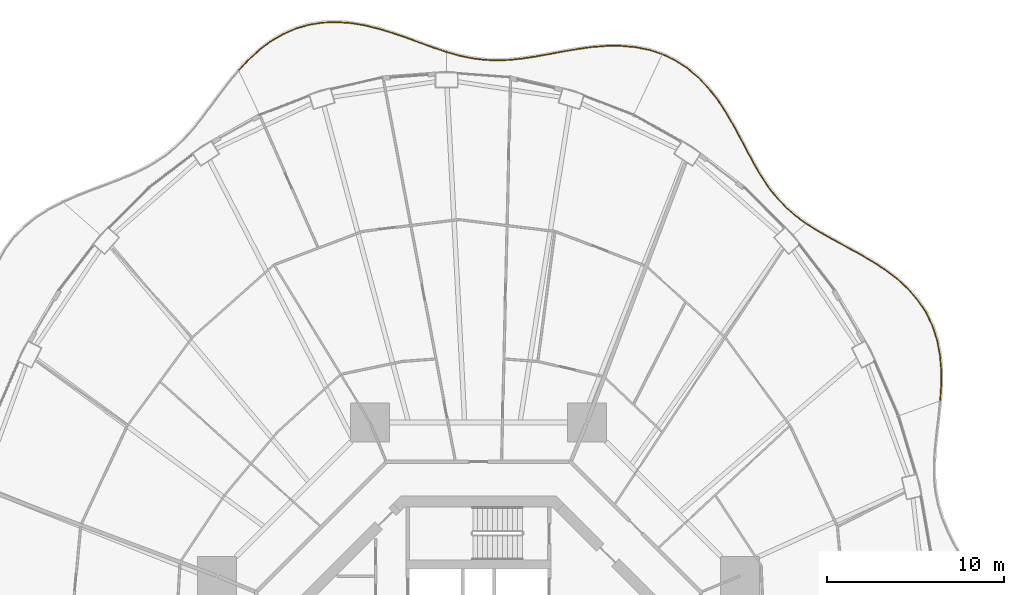
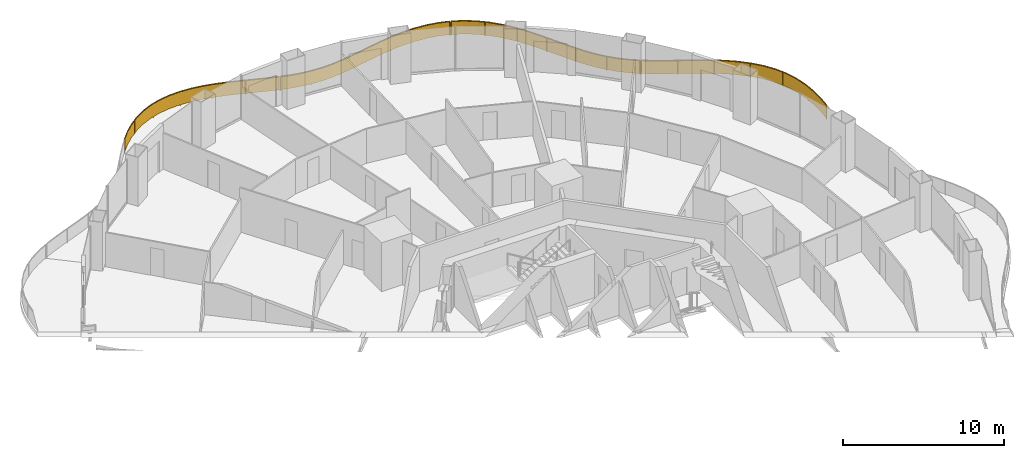
# One storey, part 23 of 23: 4 railings.
"""IFC4 building model written with IfcOpenShell, lengths in metres."""

from ifc_helpers import new_model, si_unit, direction, frame, origin, origin_2d, place, context, subcontext, project, spatial, polyline, rectangle, outline, extrude, material, type_object, element, save


model = new_model("IFC4")

# Units and contexts
model_context = context("Model", 3, precision=1e-05, world=origin(), true_north=direction((0.0, 1.0)))
body_context = subcontext(model_context, "Body", "Model", "MODEL_VIEW")
ifc_project = project(units=[si_unit("LENGTHUNIT", "METRE"), si_unit("AREAUNIT", "SQUARE_METRE"), si_unit("VOLUMEUNIT", "CUBIC_METRE"), si_unit("PLANEANGLEUNIT", "RADIAN"), si_unit("MASSUNIT", "GRAM", prefix="KILO")], contexts=[model_context])

# Site, building, storey
site_placement = place(None, origin())
site = spatial("IfcSite", under=ifc_project, at=site_placement, CompositionType="ELEMENT")
building_placement = place(site_placement, origin())
building = spatial("IfcBuilding", under=site, at=building_placement, Name="Nagisa Residences", CompositionType="ELEMENT")
storey_placement = place(building_placement, frame((0.0, 0.0, 110.300048828125)))
storey = spatial("IfcBuildingStorey", under=building, at=storey_placement, Name="L27", CompositionType="ELEMENT", Elevation=110.300048828125)

# Railings
ifc_material = material(Name="Stainless steel 316", Category="steel")
railing_type = type_object("IfcRailingType", Name="BALCONY GUARD 1100", PredefinedType="BALUSTRADE", material=ifc_material)
railing_1_placement = place(storey_placement, frame((26.079345703125, 16.049560546875, 0.0)))
element("IfcRailing", 1, at=railing_1_placement, inside=storey, type_object=railing_type, Name="guard:L27:bal01-0", PredefinedType="BALUSTRADE", context=body_context, shape_type="SweptSolid", body=[
    extrude(outline(polyline([(0.03076171875, 0.83740234375), (-0.02490234375, 0.001708984375), (0.02490234375, -0.001708984375), (0.08056640625, 0.8359375), (0.081298828125, 1.71435546875), (0.007568359375, 2.577880859375), (-0.1552734375, 3.41455078125), (-0.416015625, 4.214111328125), (-0.7724609375, 4.9541015625), (-1.2353515625, 5.65380859375), (-1.791259765625, 6.29638671875), (-2.427490234375, 6.88134765625), (-3.12744140625, 7.411865234375), (-3.864013671875, 7.88232421875), (-4.63330078125, 8.32763671875), (-5.40625, 8.748291015625), (-6.1640625, 9.158447265625), (-6.89013671875, 9.5732421875), (-7.53662109375, 9.98388671875), (-7.5634765625, 9.94140625), (-6.916015625, 9.5302734375), (-6.1884765625, 9.114501953125), (-5.43017578125, 8.704345703125), (-4.65771484375, 8.2841796875), (-3.889892578125, 7.83935546875), (-3.15625, 7.370849609375), (-2.459716796875, 6.8427734375), (-1.827392578125, 6.26171875), (-1.275390625, 5.62353515625), (-0.81591796875, 4.92919921875), (-0.46240234375, 4.195556640625), (-0.20361328125, 3.40185546875), (-0.042236328125, 2.571044921875), (0.031005859375, 1.71240234375), (0.03076171875, 0.83740234375)])), frame((0.0, 0.0, 1.050048828125)), (0.0, 0.0, 1.0), 0.050048828125),
    extrude(outline(polyline([(0.048583984375, 0.8369140625), (-0.007080078125, 0.00048828125), (0.007080078125, -0.00048828125), (0.062744140625, 0.83642578125), (0.063232421875, 1.713623046875), (-0.010498046875, 2.575439453125), (-0.172607421875, 3.409912109375), (-0.4326171875, 4.20751953125), (-0.7880859375, 4.945068359375), (-1.249755859375, 5.642822265625), (-1.80419921875, 6.283935546875), (-2.439208984375, 6.867431640625), (-3.137939453125, 7.397216796875), (-3.873291015625, 7.86669921875), (-4.64208984375, 8.31201171875), (-5.414794921875, 8.732421875), (-6.1728515625, 9.142578125), (-6.8994140625, 9.557861328125), (-7.54638671875, 9.968505859375), (-7.5537109375, 9.956787109375), (-6.90673828125, 9.545654296875), (-6.1796875, 9.13037109375), (-5.421630859375, 8.72021484375), (-4.64892578125, 8.2998046875), (-3.880615234375, 7.85498046875), (-3.145751953125, 7.385498046875), (-2.447998046875, 6.856689453125), (-1.814453125, 6.274169921875), (-1.260986328125, 5.634521484375), (-0.80029296875, 4.938232421875), (-0.44580078125, 4.2021484375), (-0.186279296875, 3.406494140625), (-0.024169921875, 2.573486328125), (0.049072265625, 1.713134765625), (0.048583984375, 0.8369140625)])), frame((0.0, 0.0, 0.06005859375)), (0.0, 0.0, 1.0), 0.989990234375),
    extrude(rectangle(XDim=0.0400390625, YDim=0.0400390625, at=origin_2d()), origin(), (0.0, 0.0, 1.0), 1.050048828125),
    extrude(rectangle(XDim=0.0400390625, YDim=0.0400390625, at=origin_2d()), frame((0.009033203125, 2.264404296875, 0.0)), (0.0, 0.0, 1.0), 1.050048828125),
    extrude(rectangle(XDim=0.0400390625, YDim=0.0400390625, at=origin_2d()), frame((-0.556396484375, 4.447998046875, 0.0)), (0.0, 0.0, 1.0), 1.050048828125),
    extrude(rectangle(XDim=0.0400390625, YDim=0.0400390625, at=origin_2d()), frame((-1.83740234375, 6.3046875, 0.0)), (0.0, 0.0, 1.0), 1.050048828125),
    extrude(rectangle(XDim=0.0400390625, YDim=0.0400390625, at=origin_2d()), frame((-3.62109375, 7.697509765625, 0.0)), (0.0, 0.0, 1.0), 1.050048828125),
    extrude(rectangle(XDim=0.0400390625, YDim=0.0400390625, at=origin_2d()), frame((-5.591552734375, 8.820068359375, 0.0)), (0.0, 0.0, 1.0), 1.050048828125),
    extrude(rectangle(XDim=0.0400390625, YDim=0.0400390625, at=origin_2d()), frame((-7.550048828125, 9.962646484375, 0.0)), (0.0, 0.0, 1.0), 1.050048828125),
])
railing_2_placement = place(storey_placement, frame((18.468994140625, 26.051025390625, 0.0)))
element("IfcRailing", 2, at=railing_2_placement, inside=storey, type_object=railing_type, Name="guard:L27:bal02-0", PredefinedType="BALUSTRADE", context=body_context, shape_type="SweptSolid", body=[
    extrude(outline(polyline([(-0.58349609375, 0.399658203125), (-0.014892578125, -0.02001953125), (0.014892578125, 0.02001953125), (-0.55224609375, 0.438720703125), (-1.1025390625, 0.92236328125), (-1.603271484375, 1.452392578125), (-2.06005859375, 2.031982421875), (-2.48095703125, 2.6611328125), (-2.864990234375, 3.32470703125), (-3.249267578125, 4.035400390625), (-3.6357421875, 4.77099609375), (-4.03857421875, 5.516357421875), (-4.47021484375, 6.2548828125), (-4.928955078125, 6.95947265625), (-5.44970703125, 7.62890625), (-6.025390625, 8.23828125), (-6.657958984375, 8.771728515625), (-7.345947265625, 9.21875), (-8.041015625, 9.548828125), (-8.0625, 9.50341796875), (-7.370361328125, 9.1748046875), (-6.687744140625, 8.731689453125), (-6.06005859375, 8.20166015625), (-5.48779296875, 7.59619140625), (-4.969970703125, 6.93017578125), (-4.5126953125, 6.228515625), (-4.08203125, 5.491943359375), (-3.6796875, 4.74755859375), (-3.293212890625, 4.011962890625), (-2.908447265625, 3.30029296875), (-2.5234375, 2.634765625), (-2.1005859375, 2.002685546875), (-1.641357421875, 1.419677734375), (-1.13720703125, 0.88623046875), (-0.58349609375, 0.399658203125)])), frame((0.0, 0.0, 1.050048828125)), (0.0, 0.0, 1.0), 0.050048828125),
    extrude(outline(polyline([(-0.572265625, 0.413818359375), (-0.004150390625, -0.005615234375), (0.004150390625, 0.005615234375), (-0.5634765625, 0.424560546875), (-1.114990234375, 0.909423828125), (-1.616943359375, 1.440673828125), (-2.07470703125, 2.021484375), (-2.496337890625, 2.651611328125), (-2.880615234375, 3.31591796875), (-3.26513671875, 4.02685546875), (-3.651611328125, 4.762451171875), (-4.05419921875, 5.507568359375), (-4.485595703125, 6.245361328125), (-4.94384765625, 6.948974609375), (-5.46337890625, 7.6171875), (-6.037841796875, 8.22509765625), (-6.668701171875, 8.75732421875), (-7.354736328125, 9.202880859375), (-8.048828125, 9.532470703125), (-8.0546875, 9.519775390625), (-7.361572265625, 9.190673828125), (-6.677001953125, 8.74609375), (-6.047607421875, 8.21484375), (-5.47412109375, 7.60791015625), (-4.955078125, 6.940673828125), (-4.497314453125, 6.238037109375), (-4.06640625, 5.500732421875), (-3.663818359375, 4.756103515625), (-3.27734375, 4.0205078125), (-2.892822265625, 3.30908203125), (-2.508056640625, 2.644287109375), (-2.0859375, 2.01318359375), (-1.627685546875, 1.431396484375), (-1.124755859375, 0.899169921875), (-0.572265625, 0.413818359375)])), frame((0.0, 0.0, 0.06005859375)), (0.0, 0.0, 1.0), 0.989990234375),
    extrude(rectangle(XDim=0.0400390625, YDim=0.0400390625, at=origin_2d()), origin(), (0.0, 0.0, 1.0), 1.050048828125),
    extrude(rectangle(XDim=0.0400390625, YDim=0.0400390625, at=origin_2d()), frame((-1.585205078125, 1.396728515625, 0.0)), (0.0, 0.0, 1.0), 1.050048828125),
    extrude(rectangle(XDim=0.0400390625, YDim=0.0400390625, at=origin_2d()), frame((-2.785400390625, 3.137451171875, 0.0)), (0.0, 0.0, 1.0), 1.050048828125),
    extrude(rectangle(XDim=0.0400390625, YDim=0.0400390625, at=origin_2d()), frame((-3.7890625, 5.00244140625, 0.0)), (0.0, 0.0, 1.0), 1.050048828125),
    extrude(rectangle(XDim=0.0400390625, YDim=0.0400390625, at=origin_2d()), frame((-4.8701171875, 6.822998046875, 0.0)), (0.0, 0.0, 1.0), 1.050048828125),
    extrude(rectangle(XDim=0.0400390625, YDim=0.0400390625, at=origin_2d()), frame((-6.265380859375, 8.40771484375, 0.0)), (0.0, 0.0, 1.0), 1.050048828125),
    extrude(rectangle(XDim=0.0400390625, YDim=0.0400390625, at=origin_2d()), frame((-8.0517578125, 9.526123046875, 0.0)), (0.0, 0.0, 1.0), 1.050048828125),
])
railing_3_placement = place(storey_placement, frame((10.34521484375, 35.605712890625, 0.0)))
element("IfcRailing", 3, at=railing_3_placement, inside=storey, type_object=railing_type, Name="guard:L27:bal03-0", PredefinedType="BALUSTRADE", context=body_context, shape_type="SweptSolid", body=[
    extrude(outline(polyline([(-0.712646484375, 0.205322265625), (-0.0078125, -0.023681640625), (0.0078125, 0.023681640625), (-0.699951171875, 0.253662109375), (-1.486572265625, 0.409912109375), (-2.296630859375, 0.48193359375), (-3.1201171875, 0.47900390625), (-3.947509765625, 0.41552734375), (-4.753662109375, 0.301025390625), (-5.564697265625, 0.163818359375), (-6.358642578125, 0.0166015625), (-7.133056640625, -0.1220703125), (-7.886474609375, -0.236083984375), (-8.60302734375, -0.313720703125), (-9.321533203125, -0.3388671875), (-10.028564453125, -0.307373046875), (-10.731201171875, -0.21630859375), (-11.43505859375, -0.067626953125), (-12.103759765625, 0.121337890625), (-12.117431640625, 0.072998046875), (-11.447265625, -0.116455078125), (-10.739501953125, -0.265625), (-10.032958984375, -0.357177734375), (-9.321533203125, -0.38916015625), (-8.599609375, -0.363525390625), (-7.880126953125, -0.285888671875), (-7.124755859375, -0.17138671875), (-6.349853515625, -0.03271484375), (-5.555908203125, 0.114501953125), (-4.745849609375, 0.251708984375), (-3.942138671875, 0.36572265625), (-3.1181640625, 0.42919921875), (-2.298583984375, 0.431640625), (-1.493896484375, 0.360107421875), (-0.712646484375, 0.205322265625)])), frame((0.0, 0.0, 1.050048828125)), (0.0, 0.0, 1.0), 0.050048828125),
    extrude(outline(polyline([(-0.7080078125, 0.22265625), (-0.002197265625, -0.006591796875), (0.002197265625, 0.006591796875), (-0.70458984375, 0.236328125), (-1.4892578125, 0.391845703125), (-2.29736328125, 0.4638671875), (-3.119384765625, 0.461181640625), (-3.945556640625, 0.397705078125), (-4.750732421875, 0.283203125), (-5.5615234375, 0.14599609375), (-6.35546875, -0.001220703125), (-7.130126953125, -0.139892578125), (-7.88427734375, -0.254150390625), (-8.601806640625, -0.33154296875), (-9.321533203125, -0.35693359375), (-10.0302734375, -0.3251953125), (-10.734130859375, -0.234130859375), (-11.439453125, -0.085205078125), (-12.108642578125, 0.10400390625), (-12.112548828125, 0.09033203125), (-11.44287109375, -0.098876953125), (-10.736572265625, -0.247802734375), (-10.03125, -0.33935546875), (-9.321533203125, -0.37109375), (-8.600830078125, -0.345703125), (-7.88232421875, -0.267822265625), (-7.127685546875, -0.153564453125), (-6.35302734375, -0.014892578125), (-5.55908203125, 0.13232421875), (-4.748779296875, 0.26953125), (-3.944091796875, 0.383544921875), (-3.118896484375, 0.447021484375), (-2.2978515625, 0.44970703125), (-1.4912109375, 0.378173828125), (-0.7080078125, 0.22265625)])), frame((0.0, 0.0, 0.06005859375)), (0.0, 0.0, 1.0), 0.989990234375),
    extrude(rectangle(XDim=0.0400390625, YDim=0.0400390625, at=origin_2d()), origin(), (0.0, 0.0, 1.0), 1.050048828125),
    extrude(rectangle(XDim=0.0400390625, YDim=0.0400390625, at=origin_2d()), frame((-1.9921875, 0.4296875, 0.0)), (0.0, 0.0, 1.0), 1.050048828125),
    extrude(rectangle(XDim=0.0400390625, YDim=0.0400390625, at=origin_2d()), frame((-4.033447265625, 0.3779296875, 0.0)), (0.0, 0.0, 1.0), 1.050048828125),
    extrude(rectangle(XDim=0.0400390625, YDim=0.0400390625, at=origin_2d()), frame((-6.05224609375, 0.0478515625, 0.0)), (0.0, 0.0, 1.0), 1.050048828125),
    extrude(rectangle(XDim=0.0400390625, YDim=0.0400390625, at=origin_2d()), frame((-8.07080078125, -0.28125, 0.0)), (0.0, 0.0, 1.0), 1.050048828125),
    extrude(rectangle(XDim=0.0400390625, YDim=0.0400390625, at=origin_2d()), frame((-10.11181640625, -0.32177734375, 0.0)), (0.0, 0.0, 1.0), 1.050048828125),
    extrude(rectangle(XDim=0.0400390625, YDim=0.0400390625, at=origin_2d()), frame((-12.110595703125, 0.09716796875, 0.0)), (0.0, 0.0, 1.0), 1.050048828125),
])
railing_4_placement = place(storey_placement, frame((-1.834228515625, 35.726318359375, 0.0)))
element("IfcRailing", 4, at=railing_4_placement, inside=storey, type_object=railing_type, Name="guard:L27:bal04-0", PredefinedType="BALUSTRADE", context=body_context, shape_type="SweptSolid", body=[
    extrude(outline(polyline([(-0.690673828125, 0.205078125), (-0.008056640625, -0.023681640625), (0.008056640625, 0.023681640625), (-0.674072265625, 0.25244140625), (-1.41552734375, 0.520263671875), (-2.175537109375, 0.798583984375), (-2.954345703125, 1.068359375), (-3.74951171875, 1.311767578125), (-4.539794921875, 1.51171875), (-5.354248046875, 1.64697265625), (-6.167724609375, 1.704833984375), (-6.97216796875, 1.6748046875), (-7.759033203125, 1.549560546875), (-8.5029296875, 1.33203125), (-9.231201171875, 1.01318359375), (-9.9208984375, 0.605224609375), (-10.569091796875, 0.117919921875), (-11.17529296875, -0.435302734375), (-11.70703125, -1.006103515625), (-11.67041015625, -1.040283203125), (-11.14013671875, -0.470947265625), (-10.537353515625, 0.079345703125), (-9.89306640625, 0.563720703125), (-9.208251953125, 0.96875), (-8.48583984375, 1.28466796875), (-7.747802734375, 1.500732421875), (-6.96728515625, 1.625), (-6.168701171875, 1.654541015625), (-5.360107421875, 1.59716796875), (-4.550048828125, 1.462890625), (-3.76318359375, 1.263427734375), (-2.969970703125, 1.02099609375), (-2.192138671875, 0.751220703125), (-1.4326171875, 0.473388671875), (-0.690673828125, 0.205078125)])), frame((0.0, 0.0, 1.050048828125)), (0.0, 0.0, 1.0), 0.050048828125),
    extrude(outline(polyline([(-0.6845703125, 0.22216796875), (-0.002197265625, -0.006591796875), (0.002197265625, 0.006591796875), (-0.68017578125, 0.2353515625), (-1.421630859375, 0.50341796875), (-2.181396484375, 0.781494140625), (-2.9599609375, 1.05126953125), (-3.75439453125, 1.29443359375), (-4.54345703125, 1.494140625), (-5.3564453125, 1.629150390625), (-6.168212890625, 1.686767578125), (-6.970458984375, 1.656982421875), (-7.7548828125, 1.531982421875), (-8.496826171875, 1.31494140625), (-9.222900390625, 0.997314453125), (-9.910888671875, 0.59033203125), (-10.5576171875, 0.10400390625), (-11.16259765625, -0.4482421875), (-11.69384765625, -1.018310546875), (-11.68359375, -1.028076171875), (-11.15283203125, -0.4580078125), (-10.548828125, 0.09326171875), (-9.903076171875, 0.57861328125), (-9.216552734375, 0.984619140625), (-8.491943359375, 1.3017578125), (-7.751953125, 1.518310546875), (-6.968994140625, 1.642822265625), (-6.168212890625, 1.672607421875), (-5.35791015625, 1.614990234375), (-4.54638671875, 1.48046875), (-3.75830078125, 1.28076171875), (-2.96435546875, 1.0380859375), (-2.186279296875, 0.768310546875), (-1.426513671875, 0.490234375), (-0.6845703125, 0.22216796875)])), frame((0.0, 0.0, 0.06005859375)), (0.0, 0.0, 1.0), 0.989990234375),
    extrude(rectangle(XDim=0.0400390625, YDim=0.0400390625, at=origin_2d()), origin(), (0.0, 0.0, 1.0), 1.050048828125),
    extrude(rectangle(XDim=0.0400390625, YDim=0.0400390625, at=origin_2d()), frame((-2.0087890625, 0.710693359375, 0.0)), (0.0, 0.0, 1.0), 1.050048828125),
    extrude(rectangle(XDim=0.0400390625, YDim=0.0400390625, at=origin_2d()), frame((-4.03759765625, 1.35888671875, 0.0)), (0.0, 0.0, 1.0), 1.050048828125),
    extrude(rectangle(XDim=0.0400390625, YDim=0.0400390625, at=origin_2d()), frame((-6.139404296875, 1.677734375, 0.0)), (0.0, 0.0, 1.0), 1.050048828125),
    extrude(rectangle(XDim=0.0400390625, YDim=0.0400390625, at=origin_2d()), frame((-8.239501953125, 1.3828125, 0.0)), (0.0, 0.0, 1.0), 1.050048828125),
    extrude(rectangle(XDim=0.0400390625, YDim=0.0400390625, at=origin_2d()), frame((-10.126953125, 0.419189453125, 0.0)), (0.0, 0.0, 1.0), 1.050048828125),
    extrude(rectangle(XDim=0.0400390625, YDim=0.0400390625, at=origin_2d()), frame((-11.688720703125, -1.023193359375, 0.0)), (0.0, 0.0, 1.0), 1.050048828125),
])

save(model, "model.ifc")
